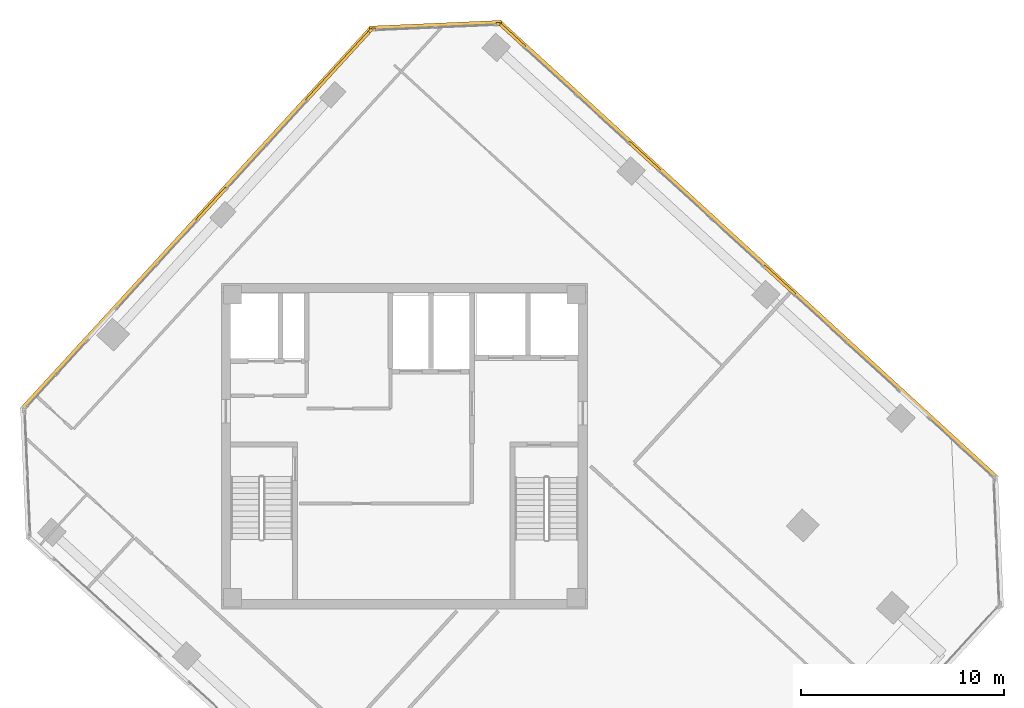
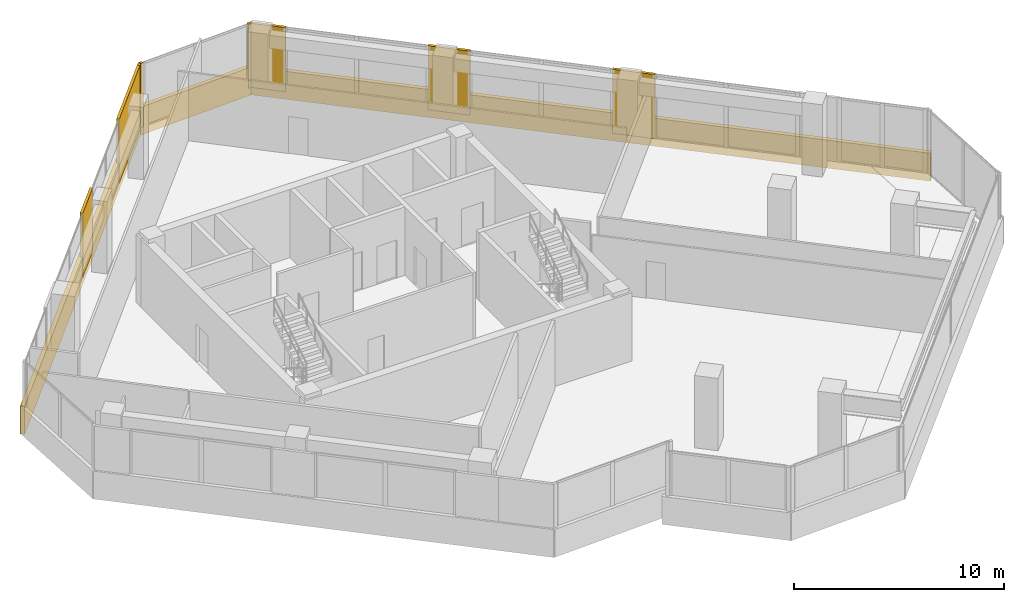
# One storey, part 18 of 18: 11 coverings.
"""IFC4 building model written with IfcOpenShell, lengths in metres."""

import ifcopenshell
import ifcopenshell.guid

model = None  # the IFC model being written
_history = None  # IfcOwnerHistory: only IFC2X3 demands one
_inside = {}  # id of a spatial element -> (the spatial element, [elements in it])
_under = {}  # id of a project, library or spatial element -> (it, [spatial elements below it])
_declared = {}  # id of a project -> (the project, [libraries it declares])
_typed = {}  # id of a type object -> (the type object, [elements of that type])
_made_of = {}  # id of a material, layer set ... -> (it, [elements and type objects made of it])


def new_model(schema):
    """Start an empty IFC model of exactly this schema.

    Asked for "IFC4X3", IfcOpenShell would pick the latest addendum, in which some entities
    have other attributes; the version numbers below select the first issue.
    IFC2X3 requires an IfcOwnerHistory on every rooted entity: one is made here for all.
    """
    global model, _history
    if schema == "IFC4X3":
        model = ifcopenshell.file(schema_version=(4, 3, 0, 0))
    else:
        model = ifcopenshell.file(schema=schema)
    _inside.clear()
    _under.clear()
    _declared.clear()
    _typed.clear()
    _made_of.clear()
    _history = None
    if model.schema == "IFC2X3":
        org = make("IfcOrganization", Name="unknown")
        user = make(
            "IfcPersonAndOrganization",
            ThePerson=make("IfcPerson", FamilyName="unknown"),
            TheOrganization=org,
        )
        app = make(
            "IfcApplication",
            ApplicationDeveloper=org,
            Version="unknown",
            ApplicationFullName="unknown",
            ApplicationIdentifier="unknown",
        )
        _history = make(
            "IfcOwnerHistory",
            OwningUser=user,
            OwningApplication=app,
            ChangeAction="ADDED",
            CreationDate=0,
        )
    return model


def make(cls, **values):
    """One entity of the class cls with the attributes given. An attribute that is None is left unset."""
    return model.create_entity(
        cls, **{name: value for name, value in values.items() if value is not None}
    )


def rooted(cls, **values):
    """An entity with a GlobalId (a new one), such as an element, a storey or a relation."""
    return make(cls, GlobalId=ifcopenshell.guid.new(), OwnerHistory=_history, **values)


def si_unit(unit_type, name, prefix=None):
    """IfcSIUnit, for example si_unit("LENGTHUNIT", "METRE", prefix="MILLI")."""
    return make("IfcSIUnit", UnitType=unit_type, Prefix=prefix, Name=name)


def assignment(units):
    """IfcUnitAssignment: the units of a project."""
    return None if units is None else make("IfcUnitAssignment", Units=units)


def point(xyz):
    """IfcCartesianPoint."""
    return None if xyz is None else make("IfcCartesianPoint", Coordinates=xyz)


def direction(xyz):
    """IfcDirection."""
    return None if xyz is None else make("IfcDirection", DirectionRatios=xyz)


def frame(location, z_axis=None, x_axis=None):
    """IfcAxis2Placement3D, a coordinate frame: its origin and axes. An axis left out is left unset."""
    return make(
        "IfcAxis2Placement3D",
        Location=point(location),
        Axis=direction(z_axis),
        RefDirection=direction(x_axis),
    )


def frame_2d(location, x_axis=None):
    """IfcAxis2Placement2D, a coordinate frame in the plane: its origin and x axis."""
    return make(
        "IfcAxis2Placement2D", Location=point(location), RefDirection=direction(x_axis)
    )


def origin():
    """The frame at (0, 0, 0) with its axes left unset."""
    return frame((0.0, 0.0, 0.0))


def origin_2d():
    """The frame at (0, 0) in the plane with its x axis left unset."""
    return frame_2d((0.0, 0.0))


def place(relative_to, where):
    """IfcLocalPlacement: puts the frame where relative to a parent placement (None: the world)."""
    return make(
        "IfcLocalPlacement", PlacementRelTo=relative_to, RelativePlacement=where
    )


def context(
    kind, dimensions, precision=None, world=None, true_north=None, identifier=None
):
    """IfcGeometricRepresentationContext, for example the 3D "Model" context."""
    return make(
        "IfcGeometricRepresentationContext",
        ContextIdentifier=identifier,
        ContextType=kind,
        CoordinateSpaceDimension=dimensions,
        Precision=precision,
        WorldCoordinateSystem=world,
        TrueNorth=true_north,
    )


def subcontext(parent, identifier, kind, view, scale=None):
    """IfcGeometricRepresentationSubContext, for example "Body" below "Model"."""
    return make(
        "IfcGeometricRepresentationSubContext",
        ContextIdentifier=identifier,
        ContextType=kind,
        ParentContext=parent,
        TargetScale=scale,
        TargetView=view,
    )


def project(units=None, contexts=None):
    """IfcProject with its units and contexts."""
    return rooted(
        "IfcProject",
        Name="project",
        RepresentationContexts=contexts,
        UnitsInContext=assignment(units),
    )


def spatial(cls, under=None, at=None, **own):
    """A site, building, storey or space (cls), placed at a placement, below another one or the project."""
    s = rooted(cls, ObjectPlacement=at, **own)
    if under is not None:
        _under.setdefault(under.id(), (under, []))[1].append(s)
    return s


def profile(cls, at=None, kind="AREA", **sizes):
    """A parametric profile (cls). Its sizes go by their IFC names, for example OverallWidth=200.0."""
    return make(cls, ProfileType=kind, Position=at, **sizes)


def rectangle(**sizes):
    """IfcRectangleProfileDef."""
    return profile("IfcRectangleProfileDef", **sizes)


def extrude(swept, where, along, depth):
    """IfcExtrudedAreaSolid: the profile swept, set in the frame where, extruded along a direction by depth."""
    return make(
        "IfcExtrudedAreaSolid",
        SweptArea=swept,
        Position=where,
        ExtrudedDirection=direction(along),
        Depth=depth,
    )


def shape(context_of_items, identifier, shape_type, items):
    """IfcShapeRepresentation: the items that make up one representation, for example the "Body"."""
    return make(
        "IfcShapeRepresentation",
        ContextOfItems=context_of_items,
        RepresentationIdentifier=identifier,
        RepresentationType=shape_type,
        Items=items,
    )


def source(mapping_origin, context_of_items, identifier, shape_type, items):
    """IfcRepresentationMap: a shape defined once, which mapped items show again and again."""
    return make(
        "IfcRepresentationMap",
        MappingOrigin=mapping_origin,
        MappedRepresentation=shape(context_of_items, identifier, shape_type, items),
    )


def transform(
    local_origin,
    x_axis=None,
    y_axis=None,
    z_axis=None,
    scale=None,
    scale2=None,
    scale3=None,
    uniform=True,
):
    """IfcCartesianTransformationOperator3D, or its non-uniform kind. x_axis, y_axis, z_axis: its Axis1, 2, 3."""
    if uniform:
        return make(
            "IfcCartesianTransformationOperator3D",
            Axis1=direction(x_axis),
            Axis2=direction(y_axis),
            LocalOrigin=point(local_origin),
            Scale=scale,
            Axis3=direction(z_axis),
        )
    return make(
        "IfcCartesianTransformationOperator3DnonUniform",
        Axis1=direction(x_axis),
        Axis2=direction(y_axis),
        LocalOrigin=point(local_origin),
        Scale=scale,
        Axis3=direction(z_axis),
        Scale2=scale2,
        Scale3=scale3,
    )


def mapped(mapping_source, mapping_target):
    """IfcMappedItem: shows the shape of a source again, moved by a transform."""
    return make(
        "IfcMappedItem", MappingSource=mapping_source, MappingTarget=mapping_target
    )


def material(Name=None, Category=None):
    """IfcMaterial."""
    return make("IfcMaterial", Name=Name, Category=Category)


def layer(
    of_material, thickness, ventilated=None, Name=None, Category=None, Priority=None
):
    """IfcMaterialLayer: one layer of a wall or slab, of a material (None: an air gap)."""
    return make(
        "IfcMaterialLayer",
        Material=of_material,
        LayerThickness=thickness,
        IsVentilated=ventilated,
        Name=Name,
        Category=Category,
        Priority=Priority,
    )


def layer_set(layers, Name=None):
    """IfcMaterialLayerSet."""
    return make("IfcMaterialLayerSet", MaterialLayers=layers, LayerSetName=Name)


def made_of(thing, what):
    """Note that an element or type object is made of a material, layer set ...; save() writes the relation."""
    if what is not None:
        _made_of.setdefault(what.id(), (what, []))[1].append(thing)
    return thing


def type_object(cls, material=None, **own):
    """A type object (cls), such as IfcWallType, which elements share."""
    return made_of(rooted(cls, **own), material)


def element(
    cls,
    number,
    at=None,
    inside=None,
    cuts=None,
    type_object=None,
    material=None,
    context=None,
    identifier="Body",
    shape_type=None,
    held_by="IfcProductDefinitionShape",
    body=None,
    shapes=None,
    **own,
):
    """One element of the class cls, such as IfcWall. Its Tag is "e" and its number.

    at: its placement. inside: the storey or other place that contains it. cuts: it is an
    opening in that element (IfcRelVoidsElement). A single representation is given by context,
    identifier, shape_type and body (its items); several are given by shapes. held_by: the class
    of the entity that holds the representations. save() writes the other relations.
    """
    e = rooted(cls, Tag="e%d" % number, ObjectPlacement=at, **own)
    if body is not None:
        shapes = [shape(context, identifier, shape_type, body)]
    if shapes is not None:
        e.Representation = make(held_by, Representations=shapes)
    if inside is not None:
        _inside.setdefault(inside.id(), (inside, []))[1].append(e)
    if cuts is not None:
        rooted(
            "IfcRelVoidsElement", RelatingBuildingElement=cuts, RelatedOpeningElement=e
        )
    if type_object is not None:
        _typed.setdefault(type_object.id(), (type_object, []))[1].append(e)
    return made_of(e, material)


def aggregate(whole, parts):
    """IfcRelAggregates: a whole, such as a stair, and the parts it consists of."""
    return rooted("IfcRelAggregates", RelatingObject=whole, RelatedObjects=parts)


def save(model, path):
    """Write the relations noted so far, then the file.

    IfcRelAggregates (storeys below a building ...), IfcRelContainedInSpatialStructure (elements
    in a storey), IfcRelDefinesByType, IfcRelAssociatesMaterial and IfcRelDeclares: one each for
    every whole, place, type object, material and project.
    """
    for whole, parts in _under.values():
        aggregate(whole, parts)
    for where, things in _inside.values():
        rooted(
            "IfcRelContainedInSpatialStructure",
            RelatedElements=things,
            RelatingStructure=where,
        )
    for kind, things in _typed.values():
        rooted("IfcRelDefinesByType", RelatedObjects=things, RelatingType=kind)
    for what, things in _made_of.values():
        rooted("IfcRelAssociatesMaterial", RelatedObjects=things, RelatingMaterial=what)
    for by, libraries in _declared.values():
        rooted("IfcRelDeclares", RelatingContext=by, RelatedDefinitions=libraries)
    model.write(path)


model = new_model("IFC4")

# Units and contexts
model_context = context("Model", 3, precision=1e-05, world=origin(), true_north=direction((0.0, 1.0)))
body_context = subcontext(model_context, "Body", "Model", "MODEL_VIEW")
ifc_project = project(units=[si_unit("LENGTHUNIT", "METRE"), si_unit("AREAUNIT", "SQUARE_METRE"), si_unit("VOLUMEUNIT", "CUBIC_METRE"), si_unit("PLANEANGLEUNIT", "RADIAN"), si_unit("MASSUNIT", "GRAM", prefix="KILO")], contexts=[model_context])

# Site, building, storey
site_placement = place(None, origin())
site = spatial("IfcSite", under=ifc_project, at=site_placement, CompositionType="ELEMENT")
building_placement = place(site_placement, origin())
building = spatial("IfcBuilding", under=site, at=building_placement, Name="Torre Montelarca", CompositionType="ELEMENT")
storey_placement = place(building_placement, frame((0.0, 0.0, 233.199951171875)))
storey = spatial("IfcBuildingStorey", under=building, at=storey_placement, Name="L52", CompositionType="ELEMENT", Elevation=233.199951171875)

# Coverings
ifc_material = material(Name="Bush-hammered warm white precast concrete C45/55", Category="concrete")
ifc_layer = layer(ifc_material, 0.139892578125, Name="Bush-hammered warm white precast concrete C45/55", Category="concrete")
ifc_layer_set = layer_set([ifc_layer], Name="Bush-hammered warm white precast concrete C45/55")
covering_type = type_object("IfcCoveringType", Name="COV-TRAY-CLAD", PredefinedType="CLADDING", material=ifc_layer_set)
shared_shape_1 = source(origin(), body_context, "Body", "SweptSolid", [
    extrude(rectangle(XDim=6.48388671875, YDim=0.219970703125, at=origin_2d()), origin(), (0.0, 0.0, 1.0), 1.6201171875),
])
covering_1_placement = place(storey_placement, frame((19.534912109375, 52.69287109375, -0.449951171875), z_axis=(0.0, 0.0, 1.0), x_axis=(-0.99904814545, -0.043621131033, 0.0)))
element("IfcCovering", 1, at=covering_1_placement, inside=storey, type_object=covering_type, Name="L52 Architectural White Spandrel Tray Band TRYBOT-09", PredefinedType="CLADDING", context=body_context, shape_type="MappedRepresentation", body=[
    mapped(shared_shape_1, transform((0.0, 0.0, 0.0), scale=1.0)),
])
shared_shape_2 = source(origin(), body_context, "Body", "SweptSolid", [
    extrude(rectangle(XDim=25.52001953125, YDim=0.219970703125, at=origin_2d()), origin(), (0.0, 0.0, 1.0), 1.6201171875),
])
covering_2_placement = place(storey_placement, frame((7.796630859375, 43.200439453125, -0.449951171875), z_axis=(0.0, 0.0, 1.0), x_axis=(-0.675588920823, -0.737278515936, 0.0)))
element("IfcCovering", 2, at=covering_2_placement, inside=storey, type_object=covering_type, Name="L52 Architectural White Spandrel Tray Band TRYBOT-10", PredefinedType="CLADDING", context=body_context, shape_type="MappedRepresentation", body=[
    mapped(shared_shape_2, transform((0.0, 0.0, 0.0), scale=1.0)),
])
shared_shape_3 = source(origin(), body_context, "Body", "SweptSolid", [
    extrude(rectangle(XDim=0.199951171875, YDim=0.139892578125, at=origin_2d()), origin(), (0.0, 0.0, 1.0), 3.719970703125),
])
for number, where, z_axis, x_axis, name in (
    (3, (22.6005859375, 52.766845703125, 0.0), (0.0, 0.0, 1.0), (-0.999047840893, -0.043628105704, 0.0), "L52 Architectural Column Pier Cladding E09-1"),
    (4, (16.474365234375, 52.499267578125, 0.0), (0.0, 0.0, 1.0), (-0.999047840893, -0.043628105704, 0.0), "L52 Architectural Column Pier Cladding E09-2"),
    (5, (16.3427734375, 52.43798828125, 0.0), (0.0, 0.0, 1.0), (-0.675588920823, -0.737278515936, 0.0), "L52 Architectural Column Pier Cladding E10-1"),
):
    element("IfcCovering", number, at=place(storey_placement, frame(where, z_axis=z_axis, x_axis=x_axis)), inside=storey, type_object=covering_type, Name=name, PredefinedType="CLADDING", context=body_context, shape_type="MappedRepresentation", body=[
        mapped(shared_shape_3, transform((0.0, 0.0, 0.0), scale=1.0)),
    ])
shared_shape_4 = source(origin(), body_context, "Body", "SweptSolid", [
    extrude(rectangle(XDim=1.714111328125, YDim=0.139892578125, at=origin_2d()), origin(), (0.0, 0.0, 1.0), 3.719970703125),
])
covering_3_placement = place(storey_placement, frame((23.29541015625, 52.20556640625, 0.0), z_axis=(0.0, 0.0, 1.0), x_axis=(-0.73727733681, 0.675590207616, 0.0)))
element("IfcCovering", 6, at=covering_3_placement, inside=storey, type_object=covering_type, Name="L52 Architectural Column Pier Cladding E08-5", PredefinedType="CLADDING", context=body_context, shape_type="MappedRepresentation", body=[
    mapped(shared_shape_4, transform((0.0, 0.0, 0.0), scale=1.0)),
])
shared_shape_5 = source(origin(), body_context, "Body", "SweptSolid", [
    extrude(rectangle(XDim=2.06005859375, YDim=0.139892578125, at=origin_2d()), origin(), (0.0, 0.0, 1.0), 3.719970703125),
])
for number, where, z_axis, x_axis, name in (
    (7, (36.438720703125, 40.161865234375, 0.0), (0.0, 0.0, 1.0), (-0.73727733681, 0.675590207616, 0.0), "L52 Architectural Column Pier Cladding E08-3"),
    (8, (29.80322265625, 46.2421875, 0.0), (0.0, 0.0, 1.0), (-0.73727733681, 0.675590207616, 0.0), "L52 Architectural Column Pier Cladding E08-4"),
):
    element("IfcCovering", number, at=place(storey_placement, frame(where, z_axis=z_axis, x_axis=x_axis)), inside=storey, type_object=covering_type, Name=name, PredefinedType="CLADDING", context=body_context, shape_type="MappedRepresentation", body=[
        mapped(shared_shape_5, transform((0.0, 0.0, 0.0), scale=1.0)),
    ])
shared_shape_6 = source(origin(), body_context, "Body", "SweptSolid", [
    extrude(rectangle(XDim=33.22021484375, YDim=0.219970703125, at=origin_2d()), origin(), (0.0, 0.0, 1.0), 1.6201171875),
])
covering_4_placement = place(storey_placement, frame((34.894287109375, 41.658447265625, -0.449951171875), z_axis=(0.0, 0.0, 1.0), x_axis=(-0.737276157682, 0.675591494406, 0.0)))
element("IfcCovering", 9, at=covering_4_placement, inside=storey, type_object=covering_type, Name="L52 Architectural White Spandrel Tray Band TRYBOT-08", PredefinedType="CLADDING", context=body_context, shape_type="MappedRepresentation", body=[
    mapped(shared_shape_6, transform((0.0, 0.0, 0.0), scale=1.0)),
])
shared_shape_7 = source(origin(), body_context, "Body", "SweptSolid", [
    extrude(rectangle(XDim=4.664306640625, YDim=0.139892578125, at=origin_2d()), origin(), (0.0, 0.0, 1.0), 3.719970703125),
])
covering_5_placement = place(storey_placement, frame((14.76708984375, 50.718505859375, 0.0), z_axis=(0.0, 0.0, 1.0), x_axis=(-0.675588920823, -0.737278515936, 0.0)))
element("IfcCovering", 10, at=covering_5_placement, inside=storey, type_object=covering_type, Name="L52 Architectural Column Pier Cladding E10-2", PredefinedType="CLADDING", context=body_context, shape_type="MappedRepresentation", body=[
    mapped(shared_shape_7, transform((0.0, 0.0, 0.0), scale=1.0)),
])
shared_shape_8 = source(origin(), body_context, "Body", "SweptSolid", [
    extrude(rectangle(XDim=2.159912109375, YDim=0.139892578125, at=origin_2d()), origin(), (0.0, 0.0, 1.0), 3.719970703125),
])
covering_6_placement = place(storey_placement, frame((8.5166015625, 43.897216796875, 0.0), z_axis=(0.0, 0.0, 1.0), x_axis=(-0.675588920823, -0.737278515936, 0.0)))
element("IfcCovering", 11, at=covering_6_placement, inside=storey, type_object=covering_type, Name="L52 Architectural Column Pier Cladding E10-3", PredefinedType="CLADDING", context=body_context, shape_type="MappedRepresentation", body=[
    mapped(shared_shape_8, transform((0.0, 0.0, 0.0), scale=1.0)),
])

save(model, "model.ifc")
